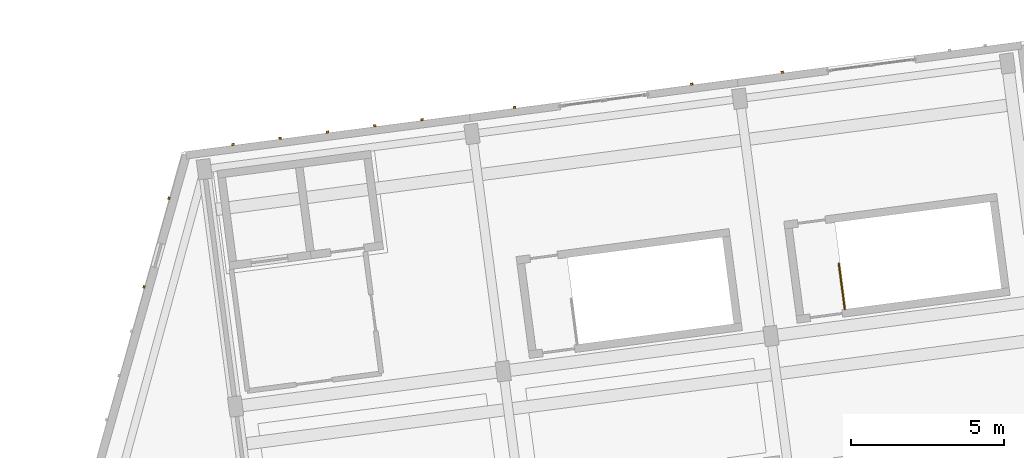
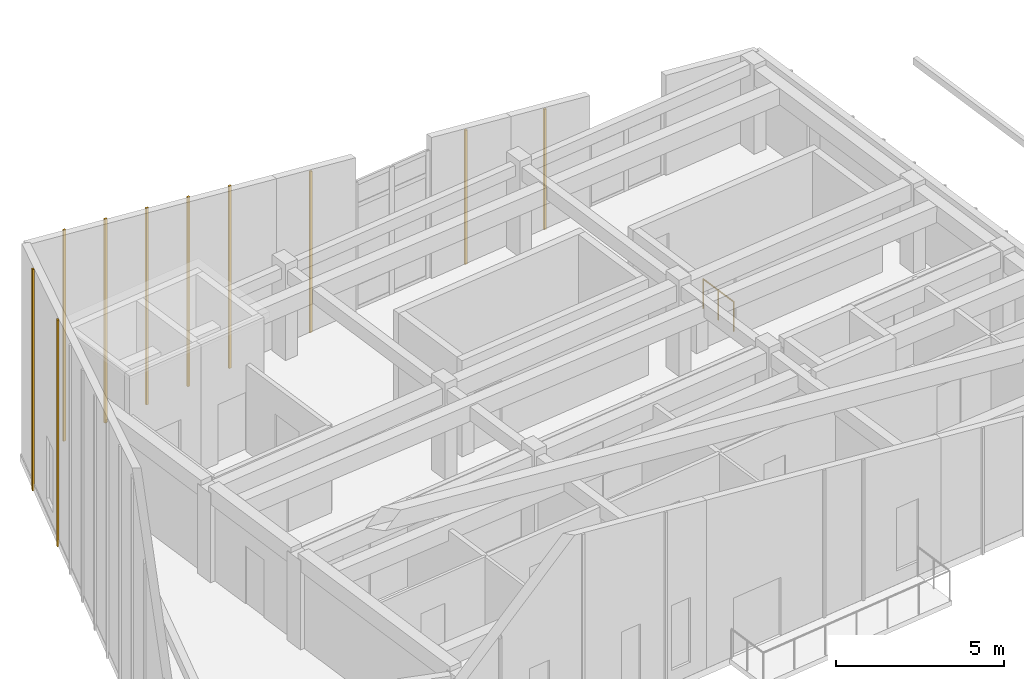
# One storey, part 9 of 10: 10 coverings, 1 railing.
"""IFC4 building model written with IfcOpenShell, lengths in metres."""

import ifcopenshell
import ifcopenshell.guid

model = None  # the IFC model being written
_history = None  # IfcOwnerHistory: only IFC2X3 demands one
_inside = {}  # id of a spatial element -> (the spatial element, [elements in it])
_under = {}  # id of a project, library or spatial element -> (it, [spatial elements below it])
_declared = {}  # id of a project -> (the project, [libraries it declares])
_typed = {}  # id of a type object -> (the type object, [elements of that type])
_made_of = {}  # id of a material, layer set ... -> (it, [elements and type objects made of it])


def new_model(schema):
    """Start an empty IFC model of exactly this schema.

    Asked for "IFC4X3", IfcOpenShell would pick the latest addendum, in which some entities
    have other attributes; the version numbers below select the first issue.
    IFC2X3 requires an IfcOwnerHistory on every rooted entity: one is made here for all.
    """
    global model, _history
    if schema == "IFC4X3":
        model = ifcopenshell.file(schema_version=(4, 3, 0, 0))
    else:
        model = ifcopenshell.file(schema=schema)
    _inside.clear()
    _under.clear()
    _declared.clear()
    _typed.clear()
    _made_of.clear()
    _history = None
    if model.schema == "IFC2X3":
        org = make("IfcOrganization", Name="unknown")
        user = make(
            "IfcPersonAndOrganization",
            ThePerson=make("IfcPerson", FamilyName="unknown"),
            TheOrganization=org,
        )
        app = make(
            "IfcApplication",
            ApplicationDeveloper=org,
            Version="unknown",
            ApplicationFullName="unknown",
            ApplicationIdentifier="unknown",
        )
        _history = make(
            "IfcOwnerHistory",
            OwningUser=user,
            OwningApplication=app,
            ChangeAction="ADDED",
            CreationDate=0,
        )
    return model


def make(cls, **values):
    """One entity of the class cls with the attributes given. An attribute that is None is left unset."""
    return model.create_entity(
        cls, **{name: value for name, value in values.items() if value is not None}
    )


def rooted(cls, **values):
    """An entity with a GlobalId (a new one), such as an element, a storey or a relation."""
    return make(cls, GlobalId=ifcopenshell.guid.new(), OwnerHistory=_history, **values)


def si_unit(unit_type, name, prefix=None):
    """IfcSIUnit, for example si_unit("LENGTHUNIT", "METRE", prefix="MILLI")."""
    return make("IfcSIUnit", UnitType=unit_type, Prefix=prefix, Name=name)


def assignment(units):
    """IfcUnitAssignment: the units of a project."""
    return None if units is None else make("IfcUnitAssignment", Units=units)


def point(xyz):
    """IfcCartesianPoint."""
    return None if xyz is None else make("IfcCartesianPoint", Coordinates=xyz)


def direction(xyz):
    """IfcDirection."""
    return None if xyz is None else make("IfcDirection", DirectionRatios=xyz)


def frame(location, z_axis=None, x_axis=None):
    """IfcAxis2Placement3D, a coordinate frame: its origin and axes. An axis left out is left unset."""
    return make(
        "IfcAxis2Placement3D",
        Location=point(location),
        Axis=direction(z_axis),
        RefDirection=direction(x_axis),
    )


def frame_2d(location, x_axis=None):
    """IfcAxis2Placement2D, a coordinate frame in the plane: its origin and x axis."""
    return make(
        "IfcAxis2Placement2D", Location=point(location), RefDirection=direction(x_axis)
    )


def origin():
    """The frame at (0, 0, 0) with its axes left unset."""
    return frame((0.0, 0.0, 0.0))


def origin_2d():
    """The frame at (0, 0) in the plane with its x axis left unset."""
    return frame_2d((0.0, 0.0))


def place(relative_to, where):
    """IfcLocalPlacement: puts the frame where relative to a parent placement (None: the world)."""
    return make(
        "IfcLocalPlacement", PlacementRelTo=relative_to, RelativePlacement=where
    )


def context(
    kind, dimensions, precision=None, world=None, true_north=None, identifier=None
):
    """IfcGeometricRepresentationContext, for example the 3D "Model" context."""
    return make(
        "IfcGeometricRepresentationContext",
        ContextIdentifier=identifier,
        ContextType=kind,
        CoordinateSpaceDimension=dimensions,
        Precision=precision,
        WorldCoordinateSystem=world,
        TrueNorth=true_north,
    )


def subcontext(parent, identifier, kind, view, scale=None):
    """IfcGeometricRepresentationSubContext, for example "Body" below "Model"."""
    return make(
        "IfcGeometricRepresentationSubContext",
        ContextIdentifier=identifier,
        ContextType=kind,
        ParentContext=parent,
        TargetScale=scale,
        TargetView=view,
    )


def project(units=None, contexts=None):
    """IfcProject with its units and contexts."""
    return rooted(
        "IfcProject",
        Name="project",
        RepresentationContexts=contexts,
        UnitsInContext=assignment(units),
    )


def spatial(cls, under=None, at=None, **own):
    """A site, building, storey or space (cls), placed at a placement, below another one or the project."""
    s = rooted(cls, ObjectPlacement=at, **own)
    if under is not None:
        _under.setdefault(under.id(), (under, []))[1].append(s)
    return s


def profile(cls, at=None, kind="AREA", **sizes):
    """A parametric profile (cls). Its sizes go by their IFC names, for example OverallWidth=200.0."""
    return make(cls, ProfileType=kind, Position=at, **sizes)


def rectangle(**sizes):
    """IfcRectangleProfileDef."""
    return profile("IfcRectangleProfileDef", **sizes)


def circle(**sizes):
    """IfcCircleProfileDef."""
    return profile("IfcCircleProfileDef", **sizes)


def extrude(swept, where, along, depth):
    """IfcExtrudedAreaSolid: the profile swept, set in the frame where, extruded along a direction by depth."""
    return make(
        "IfcExtrudedAreaSolid",
        SweptArea=swept,
        Position=where,
        ExtrudedDirection=direction(along),
        Depth=depth,
    )


def shape(context_of_items, identifier, shape_type, items):
    """IfcShapeRepresentation: the items that make up one representation, for example the "Body"."""
    return make(
        "IfcShapeRepresentation",
        ContextOfItems=context_of_items,
        RepresentationIdentifier=identifier,
        RepresentationType=shape_type,
        Items=items,
    )


def material(Name=None, Category=None):
    """IfcMaterial."""
    return make("IfcMaterial", Name=Name, Category=Category)


def layer(
    of_material, thickness, ventilated=None, Name=None, Category=None, Priority=None
):
    """IfcMaterialLayer: one layer of a wall or slab, of a material (None: an air gap)."""
    return make(
        "IfcMaterialLayer",
        Material=of_material,
        LayerThickness=thickness,
        IsVentilated=ventilated,
        Name=Name,
        Category=Category,
        Priority=Priority,
    )


def layer_set(layers, Name=None):
    """IfcMaterialLayerSet."""
    return make("IfcMaterialLayerSet", MaterialLayers=layers, LayerSetName=Name)


def made_of(thing, what):
    """Note that an element or type object is made of a material, layer set ...; save() writes the relation."""
    if what is not None:
        _made_of.setdefault(what.id(), (what, []))[1].append(thing)
    return thing


def type_object(cls, material=None, **own):
    """A type object (cls), such as IfcWallType, which elements share."""
    return made_of(rooted(cls, **own), material)


def element(
    cls,
    number,
    at=None,
    inside=None,
    cuts=None,
    type_object=None,
    material=None,
    context=None,
    identifier="Body",
    shape_type=None,
    held_by="IfcProductDefinitionShape",
    body=None,
    shapes=None,
    **own,
):
    """One element of the class cls, such as IfcWall. Its Tag is "e" and its number.

    at: its placement. inside: the storey or other place that contains it. cuts: it is an
    opening in that element (IfcRelVoidsElement). A single representation is given by context,
    identifier, shape_type and body (its items); several are given by shapes. held_by: the class
    of the entity that holds the representations. save() writes the other relations.
    """
    e = rooted(cls, Tag="e%d" % number, ObjectPlacement=at, **own)
    if body is not None:
        shapes = [shape(context, identifier, shape_type, body)]
    if shapes is not None:
        e.Representation = make(held_by, Representations=shapes)
    if inside is not None:
        _inside.setdefault(inside.id(), (inside, []))[1].append(e)
    if cuts is not None:
        rooted(
            "IfcRelVoidsElement", RelatingBuildingElement=cuts, RelatedOpeningElement=e
        )
    if type_object is not None:
        _typed.setdefault(type_object.id(), (type_object, []))[1].append(e)
    return made_of(e, material)


def aggregate(whole, parts):
    """IfcRelAggregates: a whole, such as a stair, and the parts it consists of."""
    return rooted("IfcRelAggregates", RelatingObject=whole, RelatedObjects=parts)


def save(model, path):
    """Write the relations noted so far, then the file.

    IfcRelAggregates (storeys below a building ...), IfcRelContainedInSpatialStructure (elements
    in a storey), IfcRelDefinesByType, IfcRelAssociatesMaterial and IfcRelDeclares: one each for
    every whole, place, type object, material and project.
    """
    for whole, parts in _under.values():
        aggregate(whole, parts)
    for where, things in _inside.values():
        rooted(
            "IfcRelContainedInSpatialStructure",
            RelatedElements=things,
            RelatingStructure=where,
        )
    for kind, things in _typed.values():
        rooted("IfcRelDefinesByType", RelatedObjects=things, RelatingType=kind)
    for what, things in _made_of.values():
        rooted("IfcRelAssociatesMaterial", RelatedObjects=things, RelatingMaterial=what)
    for by, libraries in _declared.values():
        rooted("IfcRelDeclares", RelatingContext=by, RelatedDefinitions=libraries)
    model.write(path)


model = new_model("IFC4")

# Units and contexts
model_context = context("Model", 3, precision=1e-05, world=origin(), true_north=direction((0.0, 1.0)))
body_context = subcontext(model_context, "Body", "Model", "MODEL_VIEW")
ifc_project = project(units=[si_unit("LENGTHUNIT", "METRE"), si_unit("AREAUNIT", "SQUARE_METRE"), si_unit("VOLUMEUNIT", "CUBIC_METRE"), si_unit("PLANEANGLEUNIT", "RADIAN"), si_unit("MASSUNIT", "GRAM", prefix="KILO")], contexts=[model_context])

# Site, building, storey
site_placement = place(None, origin())
site = spatial("IfcSite", under=ifc_project, at=site_placement, CompositionType="ELEMENT")
building_placement = place(site_placement, origin())
building = spatial("IfcBuilding", under=site, at=building_placement, Name="Kestramere Prow Commons", CompositionType="ELEMENT")
storey_placement = place(building_placement, frame((0.0, 0.0, 44.14990234375)))
storey = spatial("IfcBuildingStorey", under=building, at=storey_placement, Name="L13", CompositionType="ELEMENT", Elevation=44.14990234375)

# Coverings
ifc_material_1 = material(Name="Weathered Zinc-Titanium Standing-Seam Cladding")
ifc_layer = layer(ifc_material_1, 0.074951171875)
ifc_layer_set = layer_set([ifc_layer], Name="Weathered Zinc-Titanium Standing-Seam Cladding")
covering_type = type_object("IfcCoveringType", Name="COV-CLAD-SEAM", PredefinedType="CLADDING", material=ifc_layer_set)
covering_1_placement = place(storey_placement, frame((9.521484375, 92.635009765625, -0.25), z_axis=(0.0, 0.0, 1.0), x_axis=(0.991444861374, 0.13052619222, 0.0)))
element("IfcCovering", 1, at=covering_1_placement, inside=storey, type_object=covering_type, Name="EW-A-L13-N-0 Standing-Seam Rib 1", PredefinedType="CLADDING", context=body_context, shape_type="SweptSolid", body=[
    extrude(rectangle(XDim=0.0849609375, YDim=0.06494140625, at=origin_2d()), origin(), (0.0, 0.0, 1.0), 7.683837890625),
])
covering_2_placement = place(storey_placement, frame((11.062255859375, 92.837890625, -0.25), z_axis=(0.0, 0.0, 1.0), x_axis=(0.991444861374, 0.13052619222, 0.0)))
element("IfcCovering", 2, at=covering_2_placement, inside=storey, type_object=covering_type, Name="EW-A-L13-N-0 Standing-Seam Rib 2", PredefinedType="CLADDING", context=body_context, shape_type="SweptSolid", body=[
    extrude(rectangle(XDim=0.0849609375, YDim=0.06494140625, at=origin_2d()), origin(), (0.0, 0.0, 1.0), 7.420654296875),
])
covering_3_placement = place(storey_placement, frame((12.603271484375, 93.040771484375, -0.25), z_axis=(0.0, 0.0, 1.0), x_axis=(0.991444861374, 0.13052619222, 0.0)))
element("IfcCovering", 3, at=covering_3_placement, inside=storey, type_object=covering_type, Name="EW-A-L13-N-0 Standing-Seam Rib 3", PredefinedType="CLADDING", context=body_context, shape_type="SweptSolid", body=[
    extrude(rectangle(XDim=0.0849609375, YDim=0.06494140625, at=origin_2d()), origin(), (0.0, 0.0, 1.0), 7.15771484375),
])
covering_4_placement = place(storey_placement, frame((14.14404296875, 93.243408203125, -0.25), z_axis=(0.0, 0.0, 1.0), x_axis=(0.991444861374, 0.13052619222, 0.0)))
element("IfcCovering", 4, at=covering_4_placement, inside=storey, type_object=covering_type, Name="EW-A-L13-N-0 Standing-Seam Rib 4", PredefinedType="CLADDING", context=body_context, shape_type="SweptSolid", body=[
    extrude(rectangle(XDim=0.0849609375, YDim=0.06494140625, at=origin_2d()), origin(), (0.0, 0.0, 1.0), 6.894775390625),
])
covering_5_placement = place(storey_placement, frame((15.684814453125, 93.4462890625, -0.25), z_axis=(0.0, 0.0, 1.0), x_axis=(0.991444861374, 0.13052619222, 0.0)))
element("IfcCovering", 5, at=covering_5_placement, inside=storey, type_object=covering_type, Name="EW-A-L13-N-0 Standing-Seam Rib 5", PredefinedType="CLADDING", context=body_context, shape_type="SweptSolid", body=[
    extrude(rectangle(XDim=0.0849609375, YDim=0.06494140625, at=origin_2d()), origin(), (0.0, 0.0, 1.0), 6.631591796875),
])
covering_6_placement = place(storey_placement, frame((18.700439453125, 93.843505859375, -0.25), z_axis=(0.0, 0.0, 1.0), x_axis=(0.991444861374, 0.13052619222, 0.0)))
element("IfcCovering", 6, at=covering_6_placement, inside=storey, type_object=covering_type, Name="EW-A-L13-NP-1-L Standing-Seam Rib 1", PredefinedType="CLADDING", context=body_context, shape_type="SweptSolid", body=[
    extrude(rectangle(XDim=0.0849609375, YDim=0.06494140625, at=origin_2d()), origin(), (0.0, 0.0, 1.0), 5.864990234375),
])
covering_7_placement = place(storey_placement, frame((24.4755859375, 94.603759765625, -0.25), z_axis=(0.0, 0.0, 1.0), x_axis=(0.991444861374, 0.13052619222, 0.0)))
element("IfcCovering", 7, at=covering_7_placement, inside=storey, type_object=covering_type, Name="EW-A-L13-NP-1-R Standing-Seam Rib 1", PredefinedType="CLADDING", context=body_context, shape_type="SweptSolid", body=[
    extrude(rectangle(XDim=0.0849609375, YDim=0.06494140625, at=origin_2d()), origin(), (0.0, 0.0, 1.0), 4.879150390625),
])
covering_8_placement = place(storey_placement, frame((27.42529296875, 94.991943359375, -0.25), z_axis=(0.0, 0.0, 1.0), x_axis=(0.991444861374, 0.13052619222, 0.0)))
element("IfcCovering", 8, at=covering_8_placement, inside=storey, type_object=covering_type, Name="EW-A-L13-NP-2-L Standing-Seam Rib 1", PredefinedType="CLADDING", context=body_context, shape_type="SweptSolid", body=[
    extrude(rectangle(XDim=0.0849609375, YDim=0.06494140625, at=origin_2d()), origin(), (0.0, 0.0, 1.0), 4.375732421875),
])
covering_9_placement = place(storey_placement, frame((6.623291015625, 87.991943359375, -0.25), z_axis=(0.0, 0.0, 1.0), x_axis=(0.271159911526, 0.962534312314, 0.0)))
element("IfcCovering", 9, at=covering_9_placement, inside=storey, type_object=covering_type, Name="EW-A-L13-PRW-N Standing-Seam Rib 10", PredefinedType="CLADDING", context=body_context, shape_type="SweptSolid", body=[
    extrude(rectangle(XDim=0.0849609375, YDim=0.06494140625, at=origin_2d()), origin(), (0.0, 0.0, 1.0), 8.247314453125),
])
covering_10_placement = place(storey_placement, frame((7.437255859375, 90.880615234375, -0.25), z_axis=(0.0, 0.0, 1.0), x_axis=(0.271159911526, 0.962534312314, 0.0)))
element("IfcCovering", 10, at=covering_10_placement, inside=storey, type_object=covering_type, Name="EW-A-L13-PRW-N Standing-Seam Rib 12", PredefinedType="CLADDING", context=body_context, shape_type="SweptSolid", body=[
    extrude(rectangle(XDim=0.0849609375, YDim=0.06494140625, at=origin_2d()), origin(), (0.0, 0.0, 1.0), 8.047119140625),
])

# Railing
ifc_material_2 = material(Name="Galvanised Steel S275JR", Category="steel")
railing_type = type_object("IfcRailingType", Name="RL-ST-GR-1100", PredefinedType="GUARDRAIL", material=ifc_material_2)
railing_placement = place(storey_placement, frame((29.4638671875, 87.264404296875, 0.0)))
element("IfcRailing", 11, at=railing_placement, inside=storey, type_object=railing_type, Name="L13 ST-A2 top well guard 1", PredefinedType="GUARDRAIL", context=body_context, shape_type="SweptSolid", body=[
    extrude(circle(Radius=0.02392578125, at=origin_2d()), frame((0.0, 0.0, 1.076171875), z_axis=(-0.130521870506, 0.991445430329, 0.0), x_axis=(-0.991445430329, -0.130521870506, 0.0)), (0.0, 0.0, 1.0), 1.500244140625),
    extrude(circle(Radius=0.02099609375, at=origin_2d()), origin(), (0.0, 0.0, 1.0), 1.052001953125),
    extrude(circle(Radius=0.02099609375, at=origin_2d()), frame((-0.097900390625, 0.74365234375, 0.0)), (0.0, 0.0, 1.0), 1.052001953125),
    extrude(circle(Radius=0.02099609375, at=origin_2d()), frame((-0.19580078125, 1.4873046875, 0.0)), (0.0, 0.0, 1.0), 1.052001953125),
])

save(model, "model.ifc")
